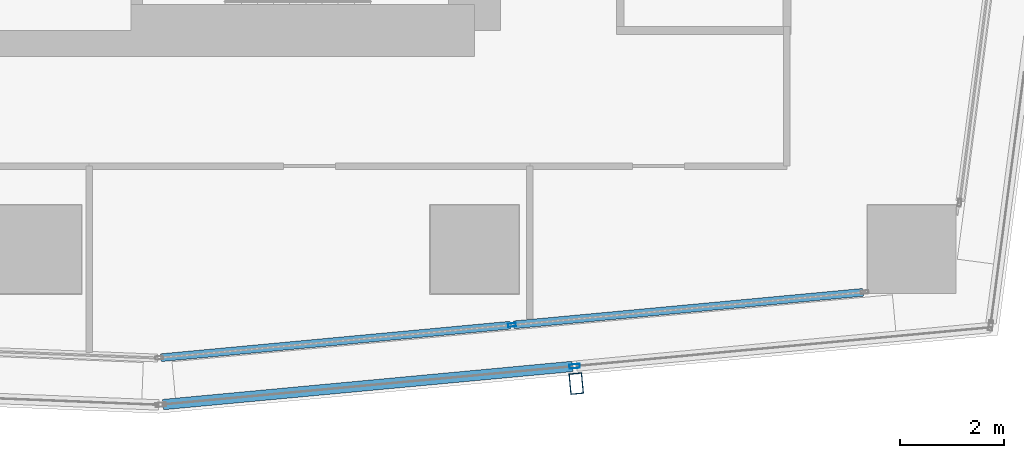
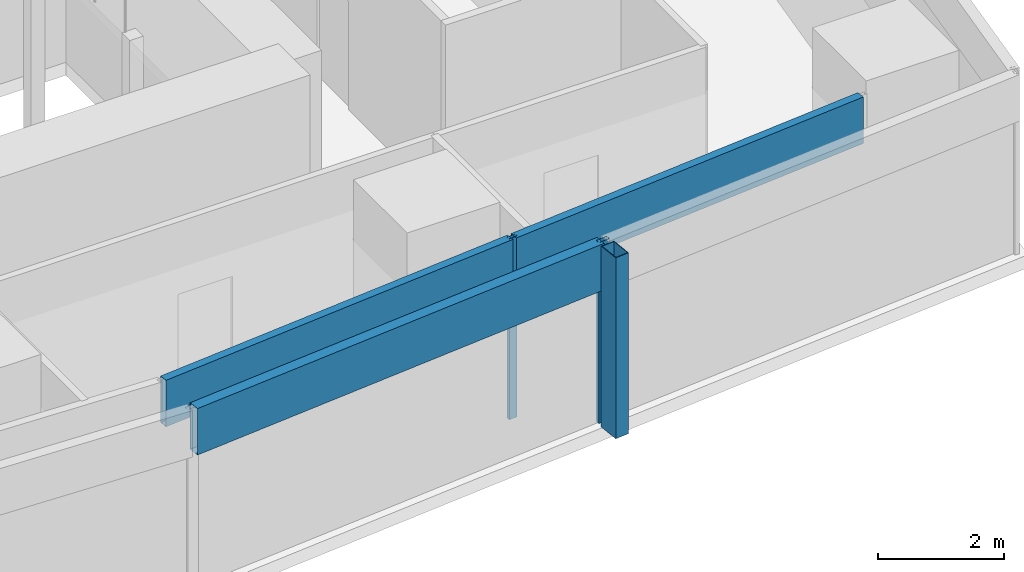
# One storey, part 11 of 39: 6 members, 2 elements without a shape of their own.
"""IFC4 building model written with IfcOpenShell, lengths in metres."""

from ifc_helpers import new_model, si_unit, direction, frame, origin, origin_2d, place, context, subcontext, project, spatial, hollow_rectangle, extrude, material, material_profile, profile_set, type_object, element, aggregate, save


model = new_model("IFC4")

# Units and contexts
model_context = context("Model", 3, precision=1e-05, world=origin(), true_north=direction((0.0, 1.0)))
body_context = subcontext(model_context, "Body", "Model", "MODEL_VIEW")
ifc_project = project(units=[si_unit("LENGTHUNIT", "METRE"), si_unit("AREAUNIT", "SQUARE_METRE"), si_unit("VOLUMEUNIT", "CUBIC_METRE"), si_unit("PLANEANGLEUNIT", "RADIAN"), si_unit("MASSUNIT", "GRAM", prefix="KILO")], contexts=[model_context])

# Site, building, storey
site_placement = place(None, origin())
site = spatial("IfcSite", under=ifc_project, at=site_placement, CompositionType="ELEMENT")
building_placement = place(site_placement, origin())
building = spatial("IfcBuilding", under=site, at=building_placement, Name="Rekha Terrace Tower", CompositionType="ELEMENT")
storey_placement = place(building_placement, frame((0.0, 0.0, 183.949951171875)))
storey = spatial("IfcBuildingStorey", under=building, at=storey_placement, Name="L46", CompositionType="ELEMENT", Elevation=183.949951171875)

# Curtain wall, member
ifc_material_1 = material(Name="Aluminium framing", Category="aluminium")
curtain_wall_type_1 = type_object("IfcCurtainWallType", Name="CW2 double skin outer glazing", PredefinedType="USERDEFINED", material=ifc_material_1)
curtain_wall_1_placement = place(storey_placement, origin())
curtain_wall_1 = element("IfcCurtainWall", 1, at=curtain_wall_1_placement, inside=storey, type_object=curtain_wall_type_1, Name="CW2 double skin outer glazing", ObjectType="DOUBLE SKIN OUTER GLAZING", PredefinedType="USERDEFINED")
ifc_material_2 = material(Name="Steel S355 with fluorocarbon finish", Category="steel")
ifc_material_profile_1 = material_profile(ifc_material_2, hollow_rectangle(XDim=0.25, YDim=0.39990234375, WallThickness=0.012451171875, at=origin_2d()), Name="RHS400x250x12.5")
ifc_profile_set_1 = profile_set([ifc_material_profile_1], Name="Steel S355 with fluorocarbon finish")
member_type_1 = type_object("IfcMemberType", Name="BL1 facade blade RHS 400 x 250", PredefinedType="USERDEFINED", material=ifc_profile_set_1)
member_1_placement = place(storey_placement, frame((52.35302734375, 14.22021484375, 0.0), z_axis=(0.0, 0.0, 1.0), x_axis=(0.995693203185, 0.092709466242, 0.0)))
member_1 = element("IfcMember", 2, at=member_1_placement, type_object=member_type_1, Name="Facade blade", ObjectType="FACADE BLADE", PredefinedType="USERDEFINED", context=body_context, shape_type="SweptSolid", body=[
    extrude(hollow_rectangle(XDim=0.25, YDim=0.39990234375, WallThickness=0.012451171875, at=origin_2d()), origin(), (0.0, 0.0, 1.0), 3.5),
])

# Curtain wall, members
curtain_wall_type_2 = type_object("IfcCurtainWallType", Name="CW1 double skin inner glazing", PredefinedType="USERDEFINED", material=ifc_material_1)
curtain_wall_2_placement = place(storey_placement, origin())
curtain_wall_2 = element("IfcCurtainWall", 3, at=curtain_wall_2_placement, inside=storey, type_object=curtain_wall_type_2, Name="CW1 double skin inner glazing", ObjectType="DOUBLE SKIN INNER GLAZING", PredefinedType="USERDEFINED")
ifc_material_3 = material(Name="Aluminium mullion section", Category="aluminium")
ifc_material_profile_2 = material_profile(ifc_material_3, hollow_rectangle(XDim=0.06494140625, YDim=0.14990234375, WallThickness=0.00390625, at=origin_2d()), Name="AL RHS 65x150")
ifc_profile_set_2 = profile_set([ifc_material_profile_2], Name="Aluminium mullion section")
member_type_2 = type_object("IfcMemberType", Name="CW1 mullion RHS 65 x 150", PredefinedType="MULLION", material=ifc_profile_set_2)
member_2_placement = place(storey_placement, frame((51.11962890625, 15.345703125, 0.0), z_axis=(0.0, 0.0, 1.0), x_axis=(-0.092708869529, 0.995693258745, 0.0)))
member_2 = element("IfcMember", 4, at=member_2_placement, type_object=member_type_2, Name="CW1 mullion 2", PredefinedType="MULLION", context=body_context, shape_type="SweptSolid", body=[
    extrude(hollow_rectangle(XDim=0.06494140625, YDim=0.14990234375, WallThickness=0.00390625, at=origin_2d()), origin(), (0.0, 0.0, 1.0), 3.5),
])
ifc_material_4 = material(Name="Insulated aluminium spandrel box", Category="aluminium")
ifc_material_profile_3 = material_profile(ifc_material_4, hollow_rectangle(XDim=0.14990234375, YDim=0.89990234375, WallThickness=0.0029296875, at=origin_2d()), Name="AL SPANDREL BOX 150x900")
ifc_profile_set_3 = profile_set([ifc_material_profile_3], Name="Insulated aluminium spandrel box")
member_type_3 = type_object("IfcMemberType", Name="CW1 spandrel transom 150 x 900", PredefinedType="USERDEFINED", material=ifc_profile_set_3)
member_3_placement = place(storey_placement, frame((44.376708984375, 14.718017578125, 3.050048828125), z_axis=(0.995693987287, 0.092701044658, 0.0), x_axis=(-0.092701044658, 0.995693987287, 0.0)))
member_3 = element("IfcMember", 5, at=member_3_placement, type_object=member_type_3, Name="CW1 spandrel transom 1", ObjectType="TRANSOM", PredefinedType="USERDEFINED", context=body_context, shape_type="SweptSolid", body=[
    extrude(hollow_rectangle(XDim=0.14990234375, YDim=0.89990234375, WallThickness=0.0029296875, at=origin_2d()), origin(), (0.0, 0.0, 1.0), 6.739501953125),
])
member_4_placement = place(storey_placement, frame((51.15185546875, 15.348876953125, 3.050048828125), z_axis=(0.995694298573, 0.092697701097, 0.0), x_axis=(-0.092697701097, 0.995694298573, 0.0)))
member_4 = element("IfcMember", 6, at=member_4_placement, type_object=member_type_3, Name="CW1 spandrel transom 2", ObjectType="TRANSOM", PredefinedType="USERDEFINED", context=body_context, shape_type="SweptSolid", body=[
    extrude(hollow_rectangle(XDim=0.14990234375, YDim=0.89990234375, WallThickness=0.0029296875, at=origin_2d()), origin(), (0.0, 0.0, 1.0), 6.73974609375),
])
aggregate(curtain_wall_2, [member_2, member_3, member_4])

# Member
ifc_material_profile_4 = material_profile(ifc_material_3, hollow_rectangle(XDim=0.080078125, YDim=0.199951171875, WallThickness=0.00390625, at=origin_2d()), Name="AL RHS 80x200")
ifc_profile_set_4 = profile_set([ifc_material_profile_4], Name="Aluminium mullion section")
member_type_4 = type_object("IfcMemberType", Name="CW2 mullion RHS 80 x 200", PredefinedType="MULLION", material=ifc_profile_set_4)
member_5_placement = place(storey_placement, frame((52.322021484375, 14.553955078125, 0.0), z_axis=(0.0, 0.0, 1.0), x_axis=(-0.092708869512, 0.995693258747, 0.0)))
member_5 = element("IfcMember", 7, at=member_5_placement, type_object=member_type_4, Name="CW2 mullion 2", PredefinedType="MULLION", context=body_context, shape_type="SweptSolid", body=[
    extrude(hollow_rectangle(XDim=0.080078125, YDim=0.199951171875, WallThickness=0.00390625, at=origin_2d()), origin(), (0.0, 0.0, 1.0), 3.5),
])

ifc_material_profile_5 = material_profile(ifc_material_4, hollow_rectangle(XDim=0.199951171875, YDim=0.89990234375, WallThickness=0.0029296875, at=origin_2d()), Name="AL SPANDREL BOX 200x900")
ifc_profile_set_5 = profile_set([ifc_material_profile_5], Name="Insulated aluminium spandrel box")
member_type_5 = type_object("IfcMemberType", Name="CW2 spandrel transom 200 x 900", PredefinedType="USERDEFINED", material=ifc_profile_set_5)
member_6_placement = place(storey_placement, frame((44.41552734375, 13.817626953125, 3.050048828125), z_axis=(0.995690937161, 0.092733799963, 0.0), x_axis=(-0.092733799963, 0.995690937161, 0.0)))
member_6 = element("IfcMember", 8, at=member_6_placement, type_object=member_type_5, Name="CW2 spandrel transom 1", ObjectType="TRANSOM", PredefinedType="USERDEFINED", context=body_context, shape_type="SweptSolid", body=[
    extrude(hollow_rectangle(XDim=0.199951171875, YDim=0.89990234375, WallThickness=0.0029296875, at=origin_2d()), origin(), (0.0, 0.0, 1.0), 7.900634765625),
])

aggregate(curtain_wall_1, [member_5, member_6, member_1])

save(model, "model.ifc")
